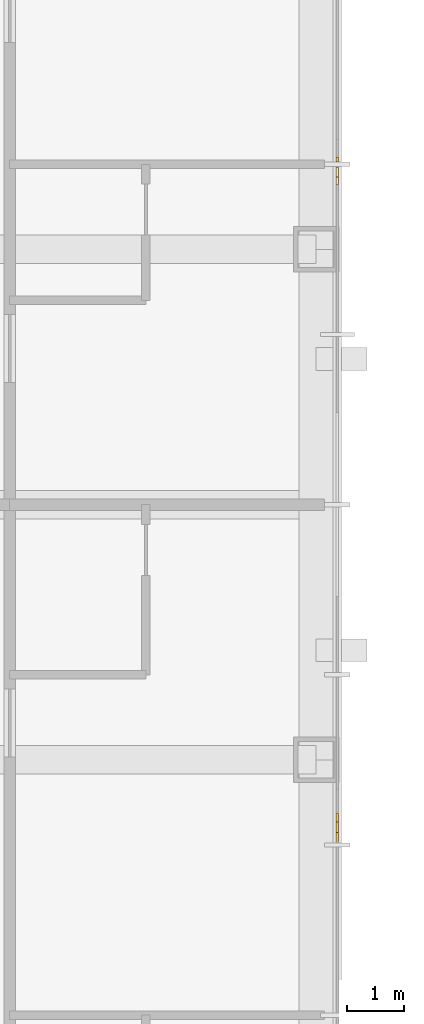
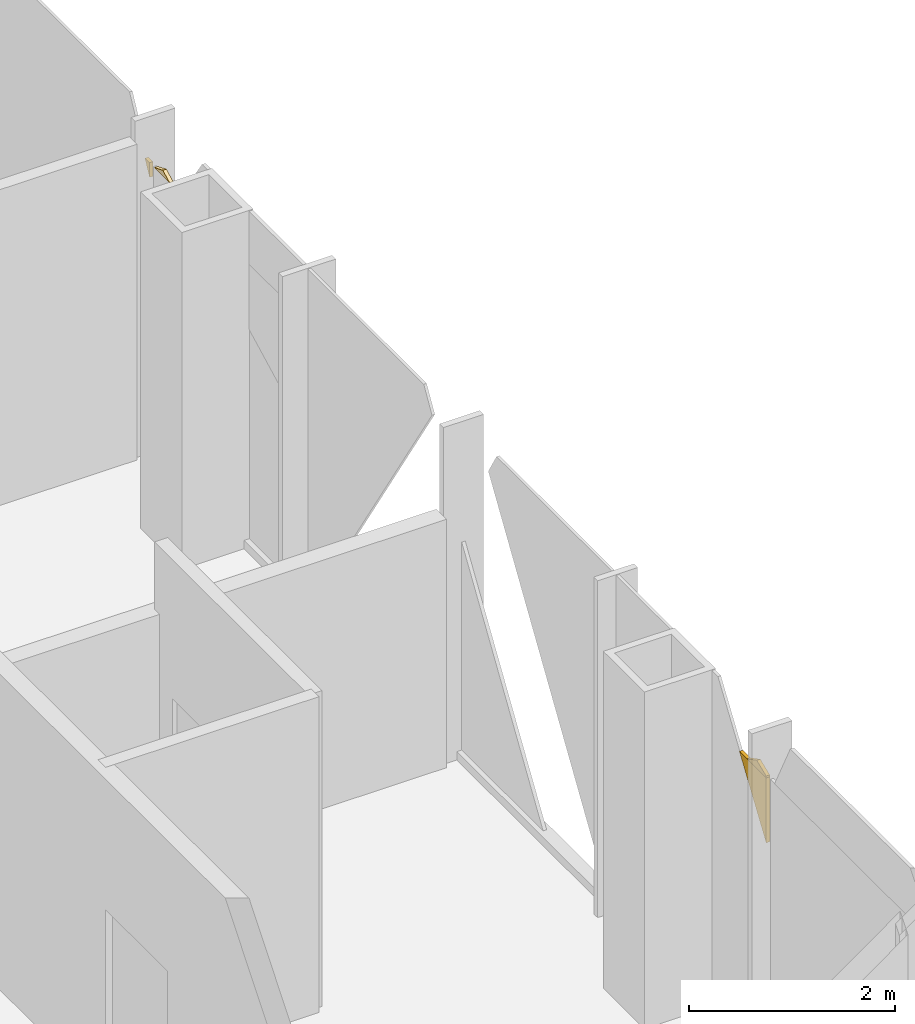
# One storey, part 18 of 25: 4 coverings.
"""IFC4 building model written with IfcOpenShell, lengths in metres."""

from ifc_helpers import new_model, si_unit, direction, frame, origin, place, context, subcontext, project, spatial, polyline, outline, extrude, material, layer, layer_set, type_object, element, save


model = new_model("IFC4")

# Units and contexts
model_context = context("Model", 3, precision=1e-05, world=origin(), true_north=direction((0.0, 1.0)))
body_context = subcontext(model_context, "Body", "Model", "MODEL_VIEW")
ifc_project = project(units=[si_unit("LENGTHUNIT", "METRE"), si_unit("AREAUNIT", "SQUARE_METRE"), si_unit("VOLUMEUNIT", "CUBIC_METRE"), si_unit("PLANEANGLEUNIT", "RADIAN"), si_unit("MASSUNIT", "GRAM", prefix="KILO")], contexts=[model_context])

# Site, building, storey
site_placement = place(None, origin())
site = spatial("IfcSite", under=ifc_project, at=site_placement, CompositionType="ELEMENT")
building_placement = place(site_placement, origin())
building = spatial("IfcBuilding", under=site, at=building_placement, Name="Malebo Sky Hospital", CompositionType="ELEMENT")
storey_placement = place(building_placement, frame((0.0, 0.0, 241.0)))
storey = spatial("IfcBuildingStorey", under=building, at=storey_placement, Name="L58", CompositionType="ELEMENT", Elevation=241.0)

# Coverings
ifc_material = material(Name="Anodised aluminium, natural silver insulated infill panel", Category="aluminium")
ifc_layer = layer(ifc_material, 0.0400390625)
ifc_layer_set = layer_set([ifc_layer], Name="BRACE INFILL PANEL 40")
covering_type = type_object("IfcCoveringType", Name="BRACE INFILL PANEL 40", PredefinedType="CLADDING", material=ifc_layer_set)
covering_1_placement = place(storey_placement, frame((82.574951171875, 68.08154296875, 3.217529296875), z_axis=(0.0, 0.0, 1.0), x_axis=(0.0, -1.0, 0.0)))
element("IfcCovering", 1, at=covering_1_placement, inside=storey, type_object=covering_type, Name="Brace infill panel 5.1", PredefinedType="CLADDING", context=body_context, shape_type="SweptSolid", body=[
    extrude(outline(polyline([(0.044189453125, 0.0), (0.044189453125, 0.17236328125), (-0.0439453125, 0.17236328125), (0.044189453125, 0.0)])), frame((0.0, 0.02001953125, 0.0), z_axis=(0.0, -1.0, 0.0), x_axis=(1.0, 0.0, 0.0)), (0.0, 0.0, 1.0), 0.0400390625),
])
covering_2_placement = place(storey_placement, frame((82.574951171875, 67.795654296875, 3.389892578125), z_axis=(0.0, 0.0, 1.0), x_axis=(0.0, -1.0, 0.0)))
element("IfcCovering", 2, at=covering_2_placement, inside=storey, type_object=covering_type, Name="Brace infill panel 6.3", PredefinedType="CLADDING", context=body_context, shape_type="SweptSolid", body=[
    extrude(outline(polyline([(-0.149658203125, 0.0), (0.149658203125, 0.0), (0.01708984375, 0.06884765625), (-0.149658203125, 0.0)])), frame((0.0, 0.02001953125, 0.0), z_axis=(0.0, -1.0, 0.0), x_axis=(1.0, 0.0, 0.0)), (0.0, 0.0, 1.0), 0.0400390625),
])
covering_3_placement = place(storey_placement, frame((82.574951171875, 56.298095703125, 2.58984375), z_axis=(0.0, 0.0, 1.0), x_axis=(0.0, -1.0, 0.0)))
element("IfcCovering", 3, at=covering_3_placement, inside=storey, type_object=covering_type, Name="Brace infill panel 9.1", PredefinedType="CLADDING", context=body_context, shape_type="SweptSolid", body=[
    extrude(outline(polyline([(0.260498046875, 0.0), (0.260498046875, 0.77099609375), (-0.260498046875, 0.77099609375), (0.260498046875, 0.0)])), frame((0.0, 0.02001953125, 0.0), z_axis=(0.0, -1.0, 0.0), x_axis=(1.0, 0.0, 0.0)), (0.0, 0.0, 1.0), 0.0400390625),
])
covering_4_placement = place(storey_placement, frame((82.574951171875, 56.2236328125, 3.36083984375), z_axis=(0.0, 0.0, 1.0), x_axis=(0.0, -1.0, 0.0)))
element("IfcCovering", 4, at=covering_4_placement, inside=storey, type_object=covering_type, Name="Brace infill panel 9.2", PredefinedType="CLADDING", context=body_context, shape_type="SweptSolid", body=[
    extrude(outline(polyline([(-0.18603515625, 0.0), (0.18603515625, 0.0), (0.18603515625, 0.02197265625), (0.001953125, 0.097900390625), (-0.18603515625, 0.0)])), frame((0.0, 0.02001953125, 0.0), z_axis=(0.0, -1.0, 0.0), x_axis=(1.0, 0.0, 0.0)), (0.0, 0.0, 1.0), 0.0400390625),
])

save(model, "model.ifc")
